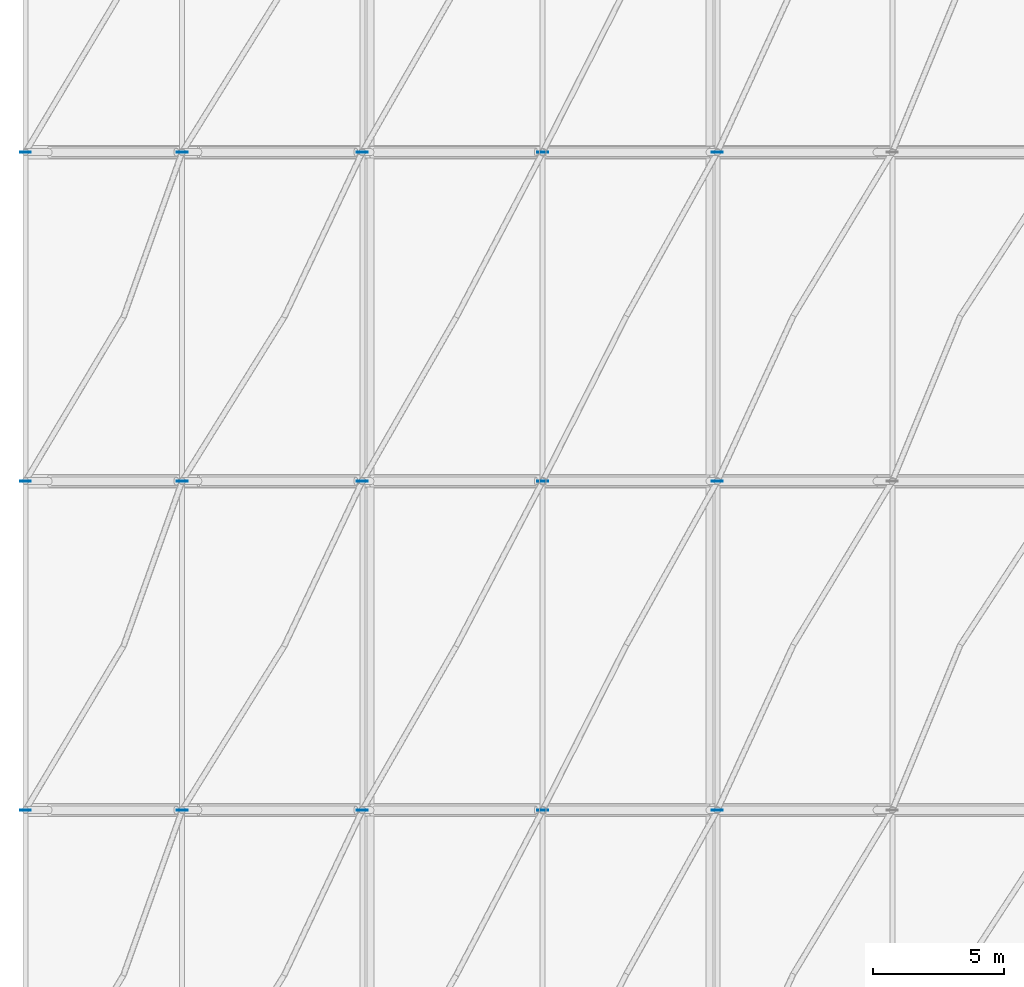
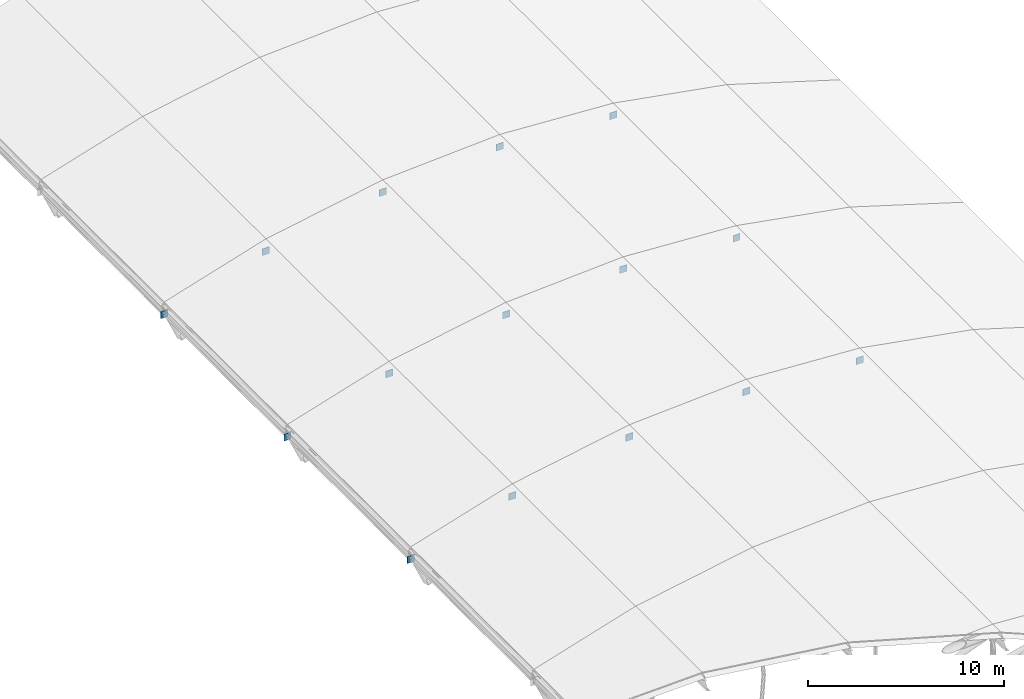
# One storey, part 15 of 18: 15 plates.
"""IFC4 building model written with IfcOpenShell, lengths in metres."""

from ifc_helpers import new_model, si_unit, derived_unit, direction, frame, origin, origin_2d, place, context, subcontext, project, spatial, rectangle, extrude, material, layer, layer_set, type_object, element, save


model = new_model("IFC4")

# Units and contexts
model_context = context("Model", 3, precision=1e-05, world=origin(), true_north=direction((0.0, 1.0)))
body_context = subcontext(model_context, "Body", "Model", "MODEL_VIEW")
ifc_project = project(units=[si_unit("LENGTHUNIT", "METRE"), si_unit("AREAUNIT", "SQUARE_METRE"), si_unit("VOLUMEUNIT", "CUBIC_METRE"), si_unit("PLANEANGLEUNIT", "RADIAN"), si_unit("MASSUNIT", "GRAM", prefix="KILO"), derived_unit("THERMALTRANSMITTANCEUNIT", [(si_unit("MASSUNIT", "GRAM", prefix="KILO"), 1), (si_unit("TIMEUNIT", "SECOND"), -3), (si_unit("THERMODYNAMICTEMPERATUREUNIT", "KELVIN"), -1)])], contexts=[model_context])

# Site, building, storey
site_placement = place(None, origin())
site = spatial("IfcSite", under=ifc_project, at=site_placement, CompositionType="ELEMENT")
building_placement = place(site_placement, origin())
building = spatial("IfcBuilding", under=site, at=building_placement, Name="Valcora Ridge Arena", CompositionType="ELEMENT")
storey_placement = place(building_placement, frame((0.0, 0.0, 39.800048828125)))
storey = spatial("IfcBuildingStorey", under=building, at=storey_placement, Name="RF", CompositionType="ELEMENT", Elevation=39.800048828125)

# Plates
ifc_material = material(Name="Steel ASTM A572 Grade 50", Category="steel")
ifc_layer = layer(ifc_material, 0.031982421875, Name="Steel ASTM A572 Grade 50")
ifc_layer_set = layer_set([ifc_layer], Name="Steel ASTM A572 Grade 50")
plate_type = type_object("IfcPlateType", Name="TY-PLATE-PL-NODE-32", PredefinedType="USERDEFINED", material=ifc_layer_set)
for number, where, z_axis, x_axis, name in (
    (1, (36.0, 57.800048828125, -2.85009765625), (0.0, 0.0, 1.0), (1.0, 0.0, 0.0), "PL-NODE-32 SF-GP-0045"),
    (2, (42.0, 57.800048828125, -1.012939453125), (0.0, 0.0, 1.0), (1.0, 0.0, 0.0), "PL-NODE-32 SF-GP-0046"),
    (3, (48.89990234375, 57.800048828125, 0.25341796875), (0.0, 0.0, 1.0), (1.0, 0.0, 0.0), "PL-NODE-32 SF-GP-0047"),
    (4, (55.81005859375, 57.800048828125, 0.669921875), (0.0, 0.0, 1.0), (1.0, 0.0, 0.0), "PL-NODE-32 SF-GP-0048"),
    (5, (62.5, 57.800048828125, 0.279296875), (0.0, 0.0, 1.0), (1.0, 0.0, 0.0), "PL-NODE-32 SF-GP-0049"),
    (6, (36.0, 70.39990234375, -2.85009765625), (0.0, 0.0, 1.0), (1.0, 0.0, 0.0), "PL-NODE-32 SF-GP-0059"),
    (7, (42.0, 70.39990234375, -1.012939453125), (0.0, 0.0, 1.0), (1.0, 0.0, 0.0), "PL-NODE-32 SF-GP-0060"),
    (8, (48.89990234375, 70.39990234375, 0.25341796875), (0.0, 0.0, 1.0), (1.0, 0.0, 0.0), "PL-NODE-32 SF-GP-0061"),
    (9, (55.81005859375, 70.39990234375, 0.669921875), (0.0, 0.0, 1.0), (1.0, 0.0, 0.0), "PL-NODE-32 SF-GP-0062"),
    (10, (62.5, 70.39990234375, 0.279296875), (0.0, 0.0, 1.0), (1.0, 0.0, 0.0), "PL-NODE-32 SF-GP-0063"),
    (11, (36.0, 83.0, -2.85009765625), (0.0, 0.0, 1.0), (1.0, 0.0, 0.0), "PL-NODE-32 SF-GP-0073"),
    (12, (42.0, 83.0, -1.012939453125), (0.0, 0.0, 1.0), (1.0, 0.0, 0.0), "PL-NODE-32 SF-GP-0074"),
    (13, (48.89990234375, 83.0, 0.25341796875), (0.0, 0.0, 1.0), (1.0, 0.0, 0.0), "PL-NODE-32 SF-GP-0075"),
    (14, (55.81005859375, 83.0, 0.669921875), (0.0, 0.0, 1.0), (1.0, 0.0, 0.0), "PL-NODE-32 SF-GP-0076"),
    (15, (62.5, 83.0, 0.279296875), (0.0, 0.0, 1.0), (1.0, 0.0, 0.0), "PL-NODE-32 SF-GP-0077"),
):
    element("IfcPlate", number, at=place(storey_placement, frame(where, z_axis=z_axis, x_axis=x_axis)), inside=storey, type_object=plate_type, Name=name, ObjectType="GUSSET_PLATE", PredefinedType="USERDEFINED", context=body_context, shape_type="SweptSolid", body=[
        extrude(rectangle(XDim=0.419921875, YDim=0.031982421875, at=origin_2d()), origin(), (0.0, 0.0, 1.0), 0.419921875),
    ])

save(model, "model.ifc")
